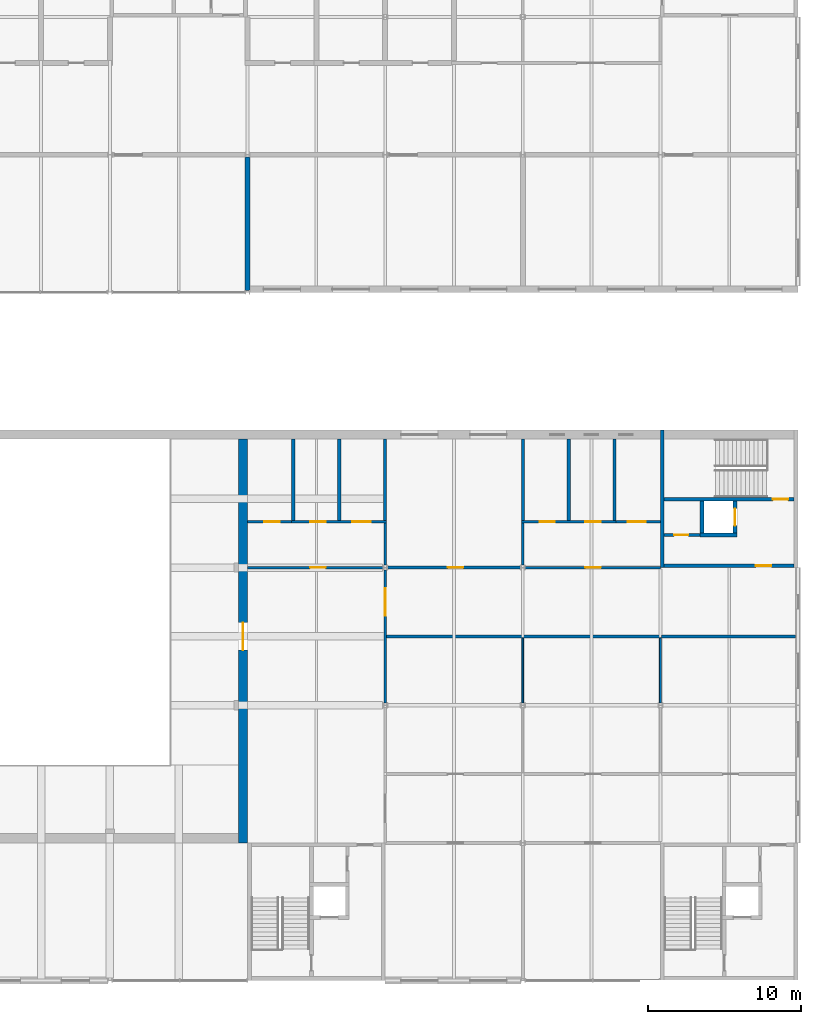
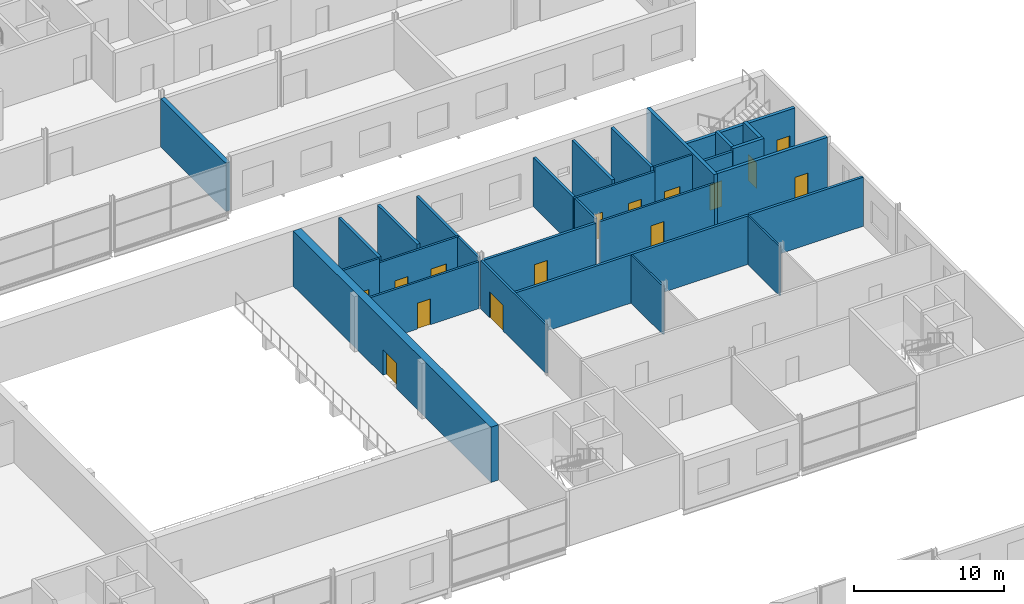
# One storey, part 84 of 97: 29 walls, 15 doors, 15 openings.
"""IFC4 building model written with IfcOpenShell, lengths in metres."""

from ifc_helpers import new_model, si_unit, direction, frame, frame_2d, origin, place, context, subcontext, project, spatial, rectangle, extrude, material, layer, layer_set, type_object, element, fill, save


model = new_model("IFC4")

# Units and contexts
model_context = context("Model", 3, precision=1e-05, world=origin(), true_north=direction((0.0, 1.0)))
body_context = subcontext(model_context, "Body", "Model", "MODEL_VIEW")
ifc_project = project(units=[si_unit("LENGTHUNIT", "METRE"), si_unit("AREAUNIT", "SQUARE_METRE"), si_unit("VOLUMEUNIT", "CUBIC_METRE"), si_unit("PLANEANGLEUNIT", "RADIAN"), si_unit("MASSUNIT", "GRAM", prefix="KILO")], contexts=[model_context])

# Site, building, storey
site_placement = place(None, origin())
site = spatial("IfcSite", under=ifc_project, at=site_placement, CompositionType="ELEMENT")
building_placement = place(site_placement, origin())
building = spatial("IfcBuilding", under=site, at=building_placement, Name="Corbel Yard City Hall", CompositionType="ELEMENT")
storey_placement = place(building_placement, frame((0.0, 0.0, 6.0)))
storey = spatial("IfcBuildingStorey", under=building, at=storey_placement, Name="L01", CompositionType="ELEMENT", Elevation=6.0)

# Wall, opening, door
ifc_material_1 = material(Name="Concrete N50 (50 MPa)", Category="concrete")
ifc_layer_1 = layer(ifc_material_1, 0.60009765625)
ifc_layer_set_1 = layer_set([ifc_layer_1], Name="Concrete N50 (50 MPa)")
wall_type_1 = type_object("IfcWallType", Name="Chamber wall 600", PredefinedType="SHEAR", material=ifc_layer_set_1)
wall_1_placement = place(storey_placement, frame((143.699951171875, 54.0, 0.0), z_axis=(0.0, 0.0, 1.0), x_axis=(0.0, 1.0, 0.0)))
wall_1 = element("IfcWall", 1, at=wall_1_placement, inside=storey, type_object=wall_type_1, Name="Chamber east wall", PredefinedType="SHEAR", context=body_context, shape_type="SweptSolid", body=[
    extrude(rectangle(XDim=26.39990234375, YDim=0.60009765625, at=frame_2d((13.199951171875, 0.0))), origin(), (0.0, 0.0, 1.0), 4.5),
])
opening_1_placement = place(wall_1_placement, frame((12.60009765625, 0.0, 0.0)))
opening_1 = element("IfcOpeningElement", 2, at=opening_1_placement, cuts=wall_1, Name="Opening L01-116", PredefinedType="OPENING", context=body_context, shape_type="SweptSolid", body=[
    extrude(rectangle(XDim=1.800048828125, YDim=2.10009765625, at=frame_2d((0.89990234375, 1.050048828125))), frame((0.0, 0.31005859375, 0.0), z_axis=(0.0, -1.0, 0.0), x_axis=(1.0, 0.0, 0.0)), (0.0, 0.0, 1.0), 0.6201171875),
])
ifc_material_2 = material(Name="Steel Grade G250", Category="steel")
door_type_1 = type_object("IfcDoorType", Name="FS3", OperationType="DOUBLE_DOOR_SINGLE_SWING", PredefinedType="DOOR", material=ifc_material_2)
door_1_placement = place(opening_1_placement, origin())
door_1 = element("IfcDoor", 3, at=door_1_placement, inside=storey, type_object=door_type_1, Name="Door Public Gallery", OperationType="DOUBLE_DOOR_SINGLE_SWING", OverallHeight=2.10009765625, OverallWidth=1.800048828125, PredefinedType="DOOR", context=body_context, shape_type="SweptSolid", body=[
    extrude(rectangle(XDim=1.800048828125, YDim=2.10009765625, at=frame_2d((0.89990234375, 1.050048828125))), frame((0.0, 0.02490234375, 0.0), z_axis=(0.0, -1.0, 0.0), x_axis=(1.0, 0.0, 0.0)), (0.0, 0.0, 1.0), 0.050048828125),
])
fill(opening_1, door_1)

# Wall
ifc_layer_2 = layer(ifc_material_1, 0.25)
ifc_layer_set_2 = layer_set([ifc_layer_2], Name="Concrete N50 (50 MPa)")
wall_type_2 = type_object("IfcWallType", Name="Core cell wall 250", PredefinedType="SHEAR", material=ifc_layer_set_2)
wall_2_placement = place(storey_placement, frame((171.125, 72.0, 0.0), z_axis=(0.0, 0.0, 1.0), x_axis=(0.0, 1.0, 0.0)))
element("IfcWall", 4, at=wall_2_placement, inside=storey, type_object=wall_type_2, Name="Core PC-M8 west wall", PredefinedType="SHEAR", context=body_context, shape_type="SweptSolid", body=[
    extrude(rectangle(XDim=9.0, YDim=0.25, at=frame_2d((4.5, 0.0))), origin(), (0.0, 0.0, 1.0), 4.5),
])

# Wall, opening, door
wall_3_placement = place(storey_placement, frame((171.25, 72.125, 0.0), z_axis=(0.0, 0.0, 1.0), x_axis=(1.0, 0.0, 0.0)))
wall_3 = element("IfcWall", 5, at=wall_3_placement, inside=storey, type_object=wall_type_2, Name="Core PC-M8 south wall", PredefinedType="SHEAR", context=body_context, shape_type="SweptSolid", body=[
    extrude(rectangle(XDim=8.5, YDim=0.25, at=frame_2d((4.25, 0.0))), origin(), (0.0, 0.0, 1.0), 4.5),
])
opening_2_placement = place(wall_3_placement, frame((6.0, 0.0, 0.0)))
opening_2 = element("IfcOpeningElement", 6, at=opening_2_placement, cuts=wall_3, Name="Opening L01-121", PredefinedType="OPENING", context=body_context, shape_type="SweptSolid", body=[
    extrude(rectangle(XDim=1.0, YDim=2.10009765625, at=frame_2d((0.5, 1.050048828125))), frame((0.0, 0.135009765625, 0.0), z_axis=(0.0, -1.0, 0.0), x_axis=(1.0, 0.0, 0.0)), (0.0, 0.0, 1.0), 0.27001953125),
])
door_type_2 = type_object("IfcDoorType", Name="FS1", OperationType="SINGLE_SWING_LEFT", PredefinedType="DOOR", material=ifc_material_2)
door_2_placement = place(opening_2_placement, origin())
door_2 = element("IfcDoor", 7, at=door_2_placement, inside=storey, type_object=door_type_2, Name="Door Lift Lobby", OperationType="SINGLE_SWING_RIGHT", OverallHeight=2.10009765625, OverallWidth=1.0, PredefinedType="DOOR", context=body_context, shape_type="SweptSolid", body=[
    extrude(rectangle(XDim=1.0, YDim=2.10009765625, at=frame_2d((0.5, 1.050048828125))), frame((0.0, 0.02490234375, 0.0), z_axis=(0.0, -1.0, 0.0), x_axis=(1.0, 0.0, 0.0)), (0.0, 0.0, 1.0), 0.050048828125),
])
fill(opening_2, door_2)

ifc_material_3 = material(Name="Concrete N40 (40 MPa)", Category="concrete")
ifc_layer_3 = layer(ifc_material_3, 0.25)
ifc_layer_set_3 = layer_set([ifc_layer_3], Name="Concrete N40 (40 MPa)")
wall_type_3 = type_object("IfcWallType", Name="IW2", PredefinedType="SOLIDWALL", material=ifc_layer_set_3)
wall_4_placement = place(storey_placement, frame((179.75, 76.47509765625, 0.0), z_axis=(0.0, 0.0, 1.0), x_axis=(-1.0, 0.0, 0.0)))
wall_4 = element("IfcWall", 8, at=wall_4_placement, inside=storey, type_object=wall_type_3, Name="Stair enclosure wall", PredefinedType="SOLIDWALL", context=body_context, shape_type="SweptSolid", body=[
    extrude(rectangle(XDim=8.5, YDim=0.25, at=frame_2d((4.25, 0.0))), origin(), (0.0, 0.0, 1.0), 4.25),
])
opening_3_placement = place(wall_4_placement, frame((0.39990234375, 0.0, 0.0)))
opening_3 = element("IfcOpeningElement", 9, at=opening_3_placement, cuts=wall_4, Name="Opening L01-120", PredefinedType="OPENING", context=body_context, shape_type="SweptSolid", body=[
    extrude(rectangle(XDim=1.0, YDim=2.10009765625, at=frame_2d((0.5, 1.050048828125))), frame((0.0, 0.135009765625, 0.0), z_axis=(0.0, -1.0, 0.0), x_axis=(1.0, 0.0, 0.0)), (0.0, 0.0, 1.0), 0.27001953125),
])
door_3_placement = place(opening_3_placement, frame((1.0, 0.0, 0.0), z_axis=(0.0, 0.0, 1.0), x_axis=(-1.0, 0.0, 0.0)))
door_3 = element("IfcDoor", 10, at=door_3_placement, inside=storey, type_object=door_type_2, Name="Door Exit Stair 15", OperationType="SINGLE_SWING_RIGHT", OverallHeight=2.10009765625, OverallWidth=1.0, PredefinedType="DOOR", context=body_context, shape_type="SweptSolid", body=[
    extrude(rectangle(XDim=1.0, YDim=2.10009765625, at=frame_2d((0.5, 1.050048828125))), frame((0.0, 0.02490234375, 0.0), z_axis=(0.0, -1.0, 0.0), x_axis=(1.0, 0.0, 0.0)), (0.0, 0.0, 1.0), 0.050048828125),
])
fill(opening_3, door_3)

# Walls
wall_5_placement = place(storey_placement, frame((173.60009765625, 74.125, 0.0), z_axis=(0.0, 0.0, 1.0), x_axis=(1.0, 0.0, 0.0)))
element("IfcWall", 11, at=wall_5_placement, inside=storey, type_object=wall_type_3, Name="Lift LP15 shaft wall", PredefinedType="SOLIDWALL", context=body_context, shape_type="SweptSolid", body=[
    extrude(rectangle(XDim=2.39990234375, YDim=0.25, at=frame_2d((1.199951171875, 0.0))), origin(), (0.0, 0.0, 1.0), 4.5),
])
wall_6_placement = place(storey_placement, frame((173.72509765625, 74.25, 0.0), z_axis=(0.0, 0.0, 1.0), x_axis=(0.0, 1.0, 0.0)))
element("IfcWall", 12, at=wall_6_placement, inside=storey, type_object=wall_type_3, Name="Lift LP15 shaft wall", PredefinedType="SOLIDWALL", context=body_context, shape_type="SweptSolid", body=[
    extrude(rectangle(XDim=2.10009765625, YDim=0.25, at=frame_2d((1.050048828125, 0.0))), origin(), (0.0, 0.0, 1.0), 4.5),
])

# Wall, opening, door
wall_7_placement = place(storey_placement, frame((175.875, 74.25, 0.0), z_axis=(0.0, 0.0, 1.0), x_axis=(0.0, 1.0, 0.0)))
wall_7 = element("IfcWall", 13, at=wall_7_placement, inside=storey, type_object=wall_type_3, Name="Lift LP15 shaft wall", PredefinedType="SOLIDWALL", context=body_context, shape_type="SweptSolid", body=[
    extrude(rectangle(XDim=2.10009765625, YDim=0.25, at=frame_2d((1.050048828125, 0.0))), origin(), (0.0, 0.0, 1.0), 4.5),
])
opening_4_placement = place(wall_7_placement, frame((0.5, 0.0, 0.0)))
opening_4 = element("IfcOpeningElement", 14, at=opening_4_placement, cuts=wall_7, Name="Opening L01-057", PredefinedType="OPENING", context=body_context, shape_type="SweptSolid", body=[
    extrude(rectangle(XDim=1.10009765625, YDim=2.10009765625, at=frame_2d((0.550048828125, 1.050048828125))), frame((0.0, 0.135009765625, 0.0), z_axis=(0.0, -1.0, 0.0), x_axis=(1.0, 0.0, 0.0)), (0.0, 0.0, 1.0), 0.27001953125),
])
ifc_material_4 = material(Name="Stainless steel Grade 316", Category="steel")
door_type_3 = type_object("IfcDoorType", Name="LD1", OperationType="DOUBLE_DOOR_SLIDING", PredefinedType="DOOR", material=ifc_material_4)
door_4_placement = place(opening_4_placement, origin())
door_4 = element("IfcDoor", 15, at=door_4_placement, inside=storey, type_object=door_type_3, Name="Lift LP15 landing door", OperationType="DOUBLE_DOOR_SLIDING", OverallHeight=2.10009765625, OverallWidth=1.10009765625, PredefinedType="DOOR", context=body_context, shape_type="SweptSolid", body=[
    extrude(rectangle(XDim=1.10009765625, YDim=2.10009765625, at=frame_2d((0.550048828125, 1.050048828125))), frame((0.0, 0.02490234375, 0.0), z_axis=(0.0, -1.0, 0.0), x_axis=(1.0, 0.0, 0.0)), (0.0, 0.0, 1.0), 0.050048828125),
])
fill(opening_4, door_4)

# Walls
ifc_material_5 = material(Name="Gypsum plasterboard", Category="gypsum")
ifc_layer_4 = layer(ifc_material_5, 0.028076171875)
ifc_material_6 = material(Name="Steel Grade G550 (550 MPa yield)", Category="steel")
ifc_layer_5 = layer(ifc_material_6, 0.06396484375)
ifc_layer_6 = layer(ifc_material_5, 0.028076171875)
ifc_layer_set_4 = layer_set([ifc_layer_4, ifc_layer_5, ifc_layer_6], Name="Steel Grade G550 (550 MPa yield)")
wall_type_4 = type_object("IfcWallType", Name="PT1", PredefinedType="PARTITIONING", material=ifc_layer_set_4)
wall_8_placement = place(storey_placement, frame((162.0, 63.157470703125, 0.0), z_axis=(0.0, 0.0, 1.0), x_axis=(0.0, 1.0, 0.0)))
element("IfcWall", 16, at=wall_8_placement, inside=storey, type_object=wall_type_4, Name="Partition", PredefinedType="PARTITIONING", context=body_context, shape_type="SweptSolid", body=[
    extrude(rectangle(XDim=4.242431640625, YDim=0.1201171875, at=frame_2d((2.12109375, 0.0))), origin(), (0.0, 0.0, 1.0), 3.947021484375),
])
wall_9_placement = place(storey_placement, frame((171.0, 63.157470703125, 0.0), z_axis=(0.0, 0.0, 1.0), x_axis=(0.0, 1.0, 0.0)))
element("IfcWall", 17, at=wall_9_placement, inside=storey, type_object=wall_type_4, Name="Partition", PredefinedType="PARTITIONING", context=body_context, shape_type="SweptSolid", body=[
    extrude(rectangle(XDim=4.242431640625, YDim=0.1201171875, at=frame_2d((2.12109375, 0.0))), origin(), (0.0, 0.0, 1.0), 3.993896484375),
])
ifc_layer_7 = layer(ifc_material_5, 0.031982421875)
ifc_layer_8 = layer(ifc_material_6, 0.135986328125)
ifc_layer_9 = layer(ifc_material_5, 0.031982421875)
ifc_layer_set_5 = layer_set([ifc_layer_7, ifc_layer_8, ifc_layer_9], Name="Steel Grade G550 (550 MPa yield)")
wall_type_5 = type_object("IfcWallType", Name="PT2", PredefinedType="PARTITIONING", material=ifc_layer_set_5)
wall_10_placement = place(storey_placement, frame((153.080078125, 67.5, 0.0), z_axis=(0.0, 0.0, 1.0), x_axis=(1.0, 0.0, 0.0)))
element("IfcWall", 18, at=wall_10_placement, inside=storey, type_object=wall_type_5, Name="Acoustic wall", PredefinedType="PARTITIONING", context=body_context, shape_type="SweptSolid", body=[
    extrude(rectangle(XDim=17.97998046875, YDim=0.199951171875, at=frame_2d((8.989990234375, 0.0))), origin(), (0.0, 0.0, 1.0), 3.947021484375),
])
wall_11_placement = place(storey_placement, frame((171.06005859375, 67.5, 0.0), z_axis=(0.0, 0.0, 1.0), x_axis=(1.0, 0.0, 0.0)))
element("IfcWall", 19, at=wall_11_placement, inside=storey, type_object=wall_type_5, Name="Acoustic wall", PredefinedType="PARTITIONING", context=body_context, shape_type="SweptSolid", body=[
    extrude(rectangle(XDim=8.7900390625, YDim=0.199951171875, at=frame_2d((4.39501953125, 0.0))), origin(), (0.0, 0.0, 1.0), 3.993896484375),
])

# Wall, opening, door
wall_12_placement = place(storey_placement, frame((153.157470703125, 72.0, 0.0), z_axis=(0.0, 0.0, 1.0), x_axis=(1.0, 0.0, 0.0)))
wall_12 = element("IfcWall", 20, at=wall_12_placement, inside=storey, type_object=wall_type_5, Name="Acoustic wall", PredefinedType="PARTITIONING", context=body_context, shape_type="SweptSolid", body=[
    extrude(rectangle(XDim=8.68505859375, YDim=0.199951171875, at=frame_2d((4.342529296875, 0.0))), origin(), (0.0, 0.0, 1.0), 3.822021484375),
])
opening_5_placement = place(wall_12_placement, frame((3.9423828125, 0.0, 0.0)))
opening_5 = element("IfcOpeningElement", 21, at=opening_5_placement, cuts=wall_12, Name="Opening L01-130", PredefinedType="OPENING", context=body_context, shape_type="SweptSolid", body=[
    extrude(rectangle(XDim=1.0, YDim=2.10009765625, at=frame_2d((0.5, 1.050048828125))), frame((0.0, 0.10986328125, 0.0), z_axis=(0.0, -1.0, 0.0), x_axis=(1.0, 0.0, 0.0)), (0.0, 0.0, 1.0), 0.219970703125),
])
ifc_material_7 = material(Name="Timber", Category="wood")
door_type_4 = type_object("IfcDoorType", Name="D1", OperationType="SINGLE_SWING_LEFT", PredefinedType="DOOR", material=ifc_material_7)
door_5_placement = place(opening_5_placement, origin())
door_5 = element("IfcDoor", 22, at=door_5_placement, inside=storey, type_object=door_type_4, Name="Door Briefing Room 10", OperationType="SINGLE_SWING_RIGHT", OverallHeight=2.10009765625, OverallWidth=1.0, PredefinedType="DOOR", context=body_context, shape_type="SweptSolid", body=[
    extrude(rectangle(XDim=1.0, YDim=2.10009765625, at=frame_2d((0.5, 1.050048828125))), frame((0.0, 0.02490234375, 0.0), z_axis=(0.0, -1.0, 0.0), x_axis=(1.0, 0.0, 0.0)), (0.0, 0.0, 1.0), 0.050048828125),
])
fill(opening_5, door_5)

# Walls
for number, where, z_axis, x_axis, name in (
    (23, (153.0, 75.080078125, 0.0), (0.0, 0.0, 1.0), (0.0, 1.0, 0.0), "Acoustic wall"),
    (24, (162.0, 75.080078125, 0.0), (0.0, 0.0, 1.0), (0.0, 1.0, 0.0), "Acoustic wall"),
):
    element("IfcWall", number, at=place(storey_placement, frame(where, z_axis=z_axis, x_axis=x_axis)), inside=storey, type_object=wall_type_5, Name=name, PredefinedType="PARTITIONING", context=body_context, shape_type="SweptSolid", body=[
        extrude(rectangle(XDim=5.31982421875, YDim=0.199951171875, at=frame_2d((2.659912109375, 0.0))), origin(), (0.0, 0.0, 1.0), 3.998046875),
    ])
ifc_layer_10 = layer(ifc_material_5, 0.031982421875)
ifc_layer_11 = layer(ifc_material_6, 0.260986328125)
ifc_layer_12 = layer(ifc_material_5, 0.031982421875)
ifc_layer_set_6 = layer_set([ifc_layer_10, ifc_layer_11, ifc_layer_12], Name="Steel Grade G550 (550 MPa yield)")
wall_type_6 = type_object("IfcWallType", Name="PT20", PredefinedType="PARTITIONING", material=ifc_layer_set_6)
wall_13_placement = place(storey_placement, frame((144.0, 90.1298828125, 0.0), z_axis=(0.0, 0.0, 1.0), x_axis=(0.0, 1.0, 0.0)))
element("IfcWall", 25, at=wall_13_placement, inside=storey, type_object=wall_type_6, Name="Acoustic partition", PredefinedType="PARTITIONING", context=body_context, shape_type="SweptSolid", body=[
    extrude(rectangle(XDim=8.712646484375, YDim=0.324951171875, at=frame_2d((4.3564453125, 0.0))), origin(), (0.0, 0.0, 1.0), 3.947021484375),
])

# Wall, opening, door
ifc_layer_13 = layer(ifc_material_5, 0.031982421875)
ifc_layer_14 = layer(ifc_material_6, 0.095947265625)
ifc_layer_15 = layer(ifc_material_5, 0.031982421875)
ifc_layer_set_7 = layer_set([ifc_layer_13, ifc_layer_14, ifc_layer_15], Name="Steel Grade G550 (550 MPa yield)")
wall_type_7 = type_object("IfcWallType", Name="PT3", PredefinedType="PARTITIONING", material=ifc_layer_set_7)
wall_14_placement = place(storey_placement, frame((144.0, 72.0, 0.0), z_axis=(0.0, 0.0, 1.0), x_axis=(1.0, 0.0, 0.0)))
wall_14 = element("IfcWall", 26, at=wall_14_placement, inside=storey, type_object=wall_type_7, Name="Fire-resisting wall", PredefinedType="PARTITIONING", context=body_context, shape_type="SweptSolid", body=[
    extrude(rectangle(XDim=8.842529296875, YDim=0.159912109375, at=frame_2d((4.42138671875, 0.0))), origin(), (0.0, 0.0, 1.0), 3.822021484375),
])
opening_6_placement = place(wall_14_placement, frame((4.10009765625, 0.0, 0.0)))
opening_6 = element("IfcOpeningElement", 27, at=opening_6_placement, cuts=wall_14, Name="Opening L01-111", PredefinedType="OPENING", context=body_context, shape_type="SweptSolid", body=[
    extrude(rectangle(XDim=1.0, YDim=2.10009765625, at=frame_2d((0.5, 1.050048828125))), frame((0.0, 0.08984375, 0.0), z_axis=(0.0, -1.0, 0.0), x_axis=(1.0, 0.0, 0.0)), (0.0, 0.0, 1.0), 0.179931640625),
])
door_type_5 = type_object("IfcDoorType", Name="FD1", OperationType="SINGLE_SWING_LEFT", PredefinedType="DOOR", material=ifc_material_2)
door_6_placement = place(opening_6_placement, origin())
door_6 = element("IfcDoor", 28, at=door_6_placement, inside=storey, type_object=door_type_5, Name="Door WC Lobby", OperationType="SINGLE_SWING_RIGHT", OverallHeight=2.10009765625, OverallWidth=1.0, PredefinedType="DOOR", context=body_context, shape_type="SweptSolid", body=[
    extrude(rectangle(XDim=1.0, YDim=2.10009765625, at=frame_2d((0.5, 1.050048828125))), frame((0.0, 0.02490234375, 0.0), z_axis=(0.0, -1.0, 0.0), x_axis=(1.0, 0.0, 0.0)), (0.0, 0.0, 1.0), 0.050048828125),
])
fill(opening_6, door_6)

wall_15_placement = place(storey_placement, frame((162.157470703125, 72.0, 0.0), z_axis=(0.0, 0.0, 1.0), x_axis=(1.0, 0.0, 0.0)))
wall_15 = element("IfcWall", 29, at=wall_15_placement, inside=storey, type_object=wall_type_7, Name="Fire-resisting wall", PredefinedType="PARTITIONING", context=body_context, shape_type="SweptSolid", body=[
    extrude(rectangle(XDim=8.842529296875, YDim=0.159912109375, at=frame_2d((4.42138671875, 0.0))), origin(), (0.0, 0.0, 1.0), 3.822021484375),
])
opening_7_placement = place(wall_15_placement, frame((3.9423828125, 0.0, 0.0)))
opening_7 = element("IfcOpeningElement", 30, at=opening_7_placement, cuts=wall_15, Name="Opening L01-131", PredefinedType="OPENING", context=body_context, shape_type="SweptSolid", body=[
    extrude(rectangle(XDim=1.0, YDim=2.10009765625, at=frame_2d((0.5, 1.050048828125))), frame((0.0, 0.08984375, 0.0), z_axis=(0.0, -1.0, 0.0), x_axis=(1.0, 0.0, 0.0)), (0.0, 0.0, 1.0), 0.179931640625),
])
door_7_placement = place(opening_7_placement, origin())
door_7 = element("IfcDoor", 31, at=door_7_placement, inside=storey, type_object=door_type_5, Name="Door WC Lobby", OperationType="SINGLE_SWING_RIGHT", OverallHeight=2.10009765625, OverallWidth=1.0, PredefinedType="DOOR", context=body_context, shape_type="SweptSolid", body=[
    extrude(rectangle(XDim=1.0, YDim=2.10009765625, at=frame_2d((0.5, 1.050048828125))), frame((0.0, 0.02490234375, 0.0), z_axis=(0.0, -1.0, 0.0), x_axis=(1.0, 0.0, 0.0)), (0.0, 0.0, 1.0), 0.050048828125),
])
fill(opening_7, door_7)

wall_16_placement = place(storey_placement, frame((144.0, 75.0, 0.0), z_axis=(0.0, 0.0, 1.0), x_axis=(1.0, 0.0, 0.0)))
wall_16 = element("IfcWall", 32, at=wall_16_placement, inside=storey, type_object=wall_type_7, Name="Fire-resisting wall", PredefinedType="PARTITIONING", context=body_context, shape_type="SweptSolid", body=[
    extrude(rectangle(XDim=2.889892578125, YDim=0.159912109375, at=frame_2d((1.44482421875, 0.0))), origin(), (0.0, 0.0, 1.0), 4.35009765625),
])
opening_8_placement = place(wall_16_placement, frame((1.10009765625, 0.0, 0.0)))
opening_8 = element("IfcOpeningElement", 33, at=opening_8_placement, cuts=wall_16, Name="Opening L01-112", PredefinedType="OPENING", context=body_context, shape_type="SweptSolid", body=[
    extrude(rectangle(XDim=1.0, YDim=2.10009765625, at=frame_2d((0.5, 1.050048828125))), frame((0.0, 0.08984375, 0.0), z_axis=(0.0, -1.0, 0.0), x_axis=(1.0, 0.0, 0.0)), (0.0, 0.0, 1.0), 0.179931640625),
])
door_8_placement = place(opening_8_placement, origin())
door_8 = element("IfcDoor", 34, at=door_8_placement, inside=storey, type_object=door_type_5, Name="Door Women's WC", OperationType="SINGLE_SWING_RIGHT", OverallHeight=2.10009765625, OverallWidth=1.0, PredefinedType="DOOR", context=body_context, shape_type="SweptSolid", body=[
    extrude(rectangle(XDim=1.0, YDim=2.10009765625, at=frame_2d((0.5, 1.050048828125))), frame((0.0, 0.02490234375, 0.0), z_axis=(0.0, -1.0, 0.0), x_axis=(1.0, 0.0, 0.0)), (0.0, 0.0, 1.0), 0.050048828125),
])
fill(opening_8, door_8)

# Wall, openings, doors
wall_17_placement = place(storey_placement, frame((146.889892578125, 75.0, 0.0), z_axis=(0.0, 0.0, 1.0), x_axis=(1.0, 0.0, 0.0)))
wall_17 = element("IfcWall", 35, at=wall_17_placement, inside=storey, type_object=wall_type_7, Name="Fire-resisting wall", PredefinedType="PARTITIONING", context=body_context, shape_type="SweptSolid", body=[
    extrude(rectangle(XDim=6.210205078125, YDim=0.159912109375, at=frame_2d((3.10498046875, 0.0))), origin(), (0.0, 0.0, 1.0), 3.998046875),
])
opening_9_placement = place(wall_17_placement, frame((1.2099609375, 0.0, 0.0)))
opening_9 = element("IfcOpeningElement", 36, at=opening_9_placement, cuts=wall_17, Name="Opening L01-113", PredefinedType="OPENING", context=body_context, shape_type="SweptSolid", body=[
    extrude(rectangle(XDim=1.0, YDim=2.10009765625, at=frame_2d((0.5, 1.050048828125))), frame((0.0, 0.08984375, 0.0), z_axis=(0.0, -1.0, 0.0), x_axis=(1.0, 0.0, 0.0)), (0.0, 0.0, 1.0), 0.179931640625),
])
opening_10_placement = place(wall_17_placement, frame((3.9599609375, 0.0, 0.0)))
opening_10 = element("IfcOpeningElement", 37, at=opening_10_placement, cuts=wall_17, Name="Opening L01-114", PredefinedType="OPENING", context=body_context, shape_type="SweptSolid", body=[
    extrude(rectangle(XDim=1.199951171875, YDim=2.10009765625, at=frame_2d((0.60009765625, 1.050048828125))), frame((0.0, 0.08984375, 0.0), z_axis=(0.0, -1.0, 0.0), x_axis=(1.0, 0.0, 0.0)), (0.0, 0.0, 1.0), 0.179931640625),
])
door_9_placement = place(opening_9_placement, origin())
door_9 = element("IfcDoor", 38, at=door_9_placement, inside=storey, type_object=door_type_5, Name="Door Men's WC", OperationType="SINGLE_SWING_RIGHT", OverallHeight=2.10009765625, OverallWidth=1.0, PredefinedType="DOOR", context=body_context, shape_type="SweptSolid", body=[
    extrude(rectangle(XDim=1.0, YDim=2.10009765625, at=frame_2d((0.5, 1.050048828125))), frame((0.0, 0.02490234375, 0.0), z_axis=(0.0, -1.0, 0.0), x_axis=(1.0, 0.0, 0.0)), (0.0, 0.0, 1.0), 0.050048828125),
])
fill(opening_9, door_9)
door_type_6 = type_object("IfcDoorType", Name="FD7", OperationType="SINGLE_SWING_LEFT", PredefinedType="DOOR", material=ifc_material_2)
door_10_placement = place(opening_10_placement, origin())
door_10 = element("IfcDoor", 39, at=door_10_placement, inside=storey, type_object=door_type_6, Name="Door Accessible WC", OperationType="SINGLE_SWING_LEFT", OverallHeight=2.10009765625, OverallWidth=1.199951171875, PredefinedType="DOOR", context=body_context, shape_type="SweptSolid", body=[
    extrude(rectangle(XDim=1.199951171875, YDim=2.10009765625, at=frame_2d((0.60009765625, 1.050048828125))), frame((0.0, 0.02490234375, 0.0), z_axis=(0.0, -1.0, 0.0), x_axis=(1.0, 0.0, 0.0)), (0.0, 0.0, 1.0), 0.050048828125),
])
fill(opening_10, door_10)

wall_18_placement = place(storey_placement, frame((161.89990234375, 75.0, 0.0), z_axis=(0.0, 0.0, 1.0), x_axis=(1.0, 0.0, 0.0)))
wall_18 = element("IfcWall", 40, at=wall_18_placement, inside=storey, type_object=wall_type_7, Name="Fire-resisting wall", PredefinedType="PARTITIONING", context=body_context, shape_type="SweptSolid", body=[
    extrude(rectangle(XDim=6.210205078125, YDim=0.159912109375, at=frame_2d((3.10498046875, 0.0))), origin(), (0.0, 0.0, 1.0), 3.998046875),
])
opening_11_placement = place(wall_18_placement, frame((1.199951171875, 0.0, 0.0)))
opening_11 = element("IfcOpeningElement", 41, at=opening_11_placement, cuts=wall_18, Name="Opening L01-132", PredefinedType="OPENING", context=body_context, shape_type="SweptSolid", body=[
    extrude(rectangle(XDim=1.0, YDim=2.10009765625, at=frame_2d((0.5, 1.050048828125))), frame((0.0, 0.08984375, 0.0), z_axis=(0.0, -1.0, 0.0), x_axis=(1.0, 0.0, 0.0)), (0.0, 0.0, 1.0), 0.179931640625),
])
opening_12_placement = place(wall_18_placement, frame((4.199951171875, 0.0, 0.0)))
opening_12 = element("IfcOpeningElement", 42, at=opening_12_placement, cuts=wall_18, Name="Opening L01-133", PredefinedType="OPENING", context=body_context, shape_type="SweptSolid", body=[
    extrude(rectangle(XDim=1.0, YDim=2.10009765625, at=frame_2d((0.5, 1.050048828125))), frame((0.0, 0.08984375, 0.0), z_axis=(0.0, -1.0, 0.0), x_axis=(1.0, 0.0, 0.0)), (0.0, 0.0, 1.0), 0.179931640625),
])
door_11_placement = place(opening_11_placement, origin())
door_11 = element("IfcDoor", 43, at=door_11_placement, inside=storey, type_object=door_type_5, Name="Door Women's WC", OperationType="SINGLE_SWING_RIGHT", OverallHeight=2.10009765625, OverallWidth=1.0, PredefinedType="DOOR", context=body_context, shape_type="SweptSolid", body=[
    extrude(rectangle(XDim=1.0, YDim=2.10009765625, at=frame_2d((0.5, 1.050048828125))), frame((0.0, 0.02490234375, 0.0), z_axis=(0.0, -1.0, 0.0), x_axis=(1.0, 0.0, 0.0)), (0.0, 0.0, 1.0), 0.050048828125),
])
fill(opening_11, door_11)
door_12_placement = place(opening_12_placement, origin())
door_12 = element("IfcDoor", 44, at=door_12_placement, inside=storey, type_object=door_type_5, Name="Door Men's WC", OperationType="SINGLE_SWING_RIGHT", OverallHeight=2.10009765625, OverallWidth=1.0, PredefinedType="DOOR", context=body_context, shape_type="SweptSolid", body=[
    extrude(rectangle(XDim=1.0, YDim=2.10009765625, at=frame_2d((0.5, 1.050048828125))), frame((0.0, 0.02490234375, 0.0), z_axis=(0.0, -1.0, 0.0), x_axis=(1.0, 0.0, 0.0)), (0.0, 0.0, 1.0), 0.050048828125),
])
fill(opening_12, door_12)

# Wall, opening, door
wall_19_placement = place(storey_placement, frame((168.110107421875, 75.0, 0.0), z_axis=(0.0, 0.0, 1.0), x_axis=(1.0, 0.0, 0.0)))
wall_19 = element("IfcWall", 45, at=wall_19_placement, inside=storey, type_object=wall_type_7, Name="Fire-resisting wall", PredefinedType="PARTITIONING", context=body_context, shape_type="SweptSolid", body=[
    extrude(rectangle(XDim=2.889892578125, YDim=0.159912109375, at=frame_2d((1.44482421875, 0.0))), origin(), (0.0, 0.0, 1.0), 4.35009765625),
])
opening_13_placement = place(wall_19_placement, frame((0.739990234375, 0.0, 0.0)))
opening_13 = element("IfcOpeningElement", 46, at=opening_13_placement, cuts=wall_19, Name="Opening L01-134", PredefinedType="OPENING", context=body_context, shape_type="SweptSolid", body=[
    extrude(rectangle(XDim=1.199951171875, YDim=2.10009765625, at=frame_2d((0.60009765625, 1.050048828125))), frame((0.0, 0.08984375, 0.0), z_axis=(0.0, -1.0, 0.0), x_axis=(1.0, 0.0, 0.0)), (0.0, 0.0, 1.0), 0.179931640625),
])
door_13_placement = place(opening_13_placement, origin())
door_13 = element("IfcDoor", 47, at=door_13_placement, inside=storey, type_object=door_type_6, Name="Door Accessible WC", OperationType="SINGLE_SWING_LEFT", OverallHeight=2.10009765625, OverallWidth=1.199951171875, PredefinedType="DOOR", context=body_context, shape_type="SweptSolid", body=[
    extrude(rectangle(XDim=1.199951171875, YDim=2.10009765625, at=frame_2d((0.60009765625, 1.050048828125))), frame((0.0, 0.02490234375, 0.0), z_axis=(0.0, -1.0, 0.0), x_axis=(1.0, 0.0, 0.0)), (0.0, 0.0, 1.0), 0.050048828125),
])
fill(opening_13, door_13)

wall_20_placement = place(storey_placement, frame((153.0, 63.157470703125, 0.0), z_axis=(0.0, 0.0, 1.0), x_axis=(0.0, 1.0, 0.0)))
wall_20 = element("IfcWall", 48, at=wall_20_placement, inside=storey, type_object=wall_type_7, Name="Fire-resisting wall", PredefinedType="PARTITIONING", context=body_context, shape_type="SweptSolid", body=[
    extrude(rectangle(XDim=8.68505859375, YDim=0.159912109375, at=frame_2d((4.342529296875, 0.0))), origin(), (0.0, 0.0, 1.0), 3.947021484375),
])
opening_14_placement = place(wall_20_placement, frame((5.6923828125, 0.0, 0.0)))
opening_14 = element("IfcOpeningElement", 49, at=opening_14_placement, cuts=wall_20, Name="Opening L01-124", PredefinedType="OPENING", context=body_context, shape_type="SweptSolid", body=[
    extrude(rectangle(XDim=1.800048828125, YDim=2.10009765625, at=frame_2d((0.89990234375, 1.050048828125))), frame((0.0, 0.08984375, 0.0), z_axis=(0.0, -1.0, 0.0), x_axis=(1.0, 0.0, 0.0)), (0.0, 0.0, 1.0), 0.179931640625),
])
door_type_7 = type_object("IfcDoorType", Name="FD3", OperationType="DOUBLE_DOOR_SINGLE_SWING", PredefinedType="DOOR", material=ifc_material_2)
door_14_placement = place(opening_14_placement, origin())
door_14 = element("IfcDoor", 50, at=door_14_placement, inside=storey, type_object=door_type_7, Name="Door Members' Service Corridor", OperationType="DOUBLE_DOOR_SINGLE_SWING", OverallHeight=2.10009765625, OverallWidth=1.800048828125, PredefinedType="DOOR", context=body_context, shape_type="SweptSolid", body=[
    extrude(rectangle(XDim=1.800048828125, YDim=2.10009765625, at=frame_2d((0.89990234375, 1.050048828125))), frame((0.0, 0.02490234375, 0.0), z_axis=(0.0, -1.0, 0.0), x_axis=(1.0, 0.0, 0.0)), (0.0, 0.0, 1.0), 0.050048828125),
])
fill(opening_14, door_14)

# Walls
for number, where, z_axis, x_axis, name in (
    (51, (153.0, 72.157470703125, 0.0), (0.0, 0.0, 1.0), (0.0, 1.0, 0.0), "Fire-resisting wall"),
    (52, (162.0, 72.157470703125, 0.0), (0.0, 0.0, 1.0), (0.0, 1.0, 0.0), "Fire-resisting wall"),
):
    element("IfcWall", number, at=place(storey_placement, frame(where, z_axis=z_axis, x_axis=x_axis)), inside=storey, type_object=wall_type_7, Name=name, PredefinedType="PARTITIONING", context=body_context, shape_type="SweptSolid", body=[
        extrude(rectangle(XDim=2.762451171875, YDim=0.159912109375, at=frame_2d((1.38134765625, 0.0))), origin(), (0.0, 0.0, 1.0), 3.998046875),
    ])

# Wall, opening, door
ifc_material_8 = material(Name="Concrete block", Category="concrete")
ifc_layer_16 = layer(ifc_material_8, 0.18994140625)
ifc_layer_set_8 = layer_set([ifc_layer_16], Name="Concrete block")
wall_type_8 = type_object("IfcWallType", Name="PT4", PredefinedType="PARTITIONING", material=ifc_layer_set_8)
wall_21_placement = place(storey_placement, frame((171.25, 74.125, 0.0), z_axis=(0.0, 0.0, 1.0), x_axis=(1.0, 0.0, 0.0)))
wall_21 = element("IfcWall", 53, at=wall_21_placement, inside=storey, type_object=wall_type_8, Name="Fire-resisting block wall", PredefinedType="PARTITIONING", context=body_context, shape_type="SweptSolid", body=[
    extrude(rectangle(XDim=2.35009765625, YDim=0.18994140625, at=frame_2d((1.175048828125, 0.0))), origin(), (0.0, 0.0, 1.0), 4.25),
])
opening_15_placement = place(wall_21_placement, frame((0.652587890625, 0.0, 0.0)))
opening_15 = element("IfcOpeningElement", 54, at=opening_15_placement, cuts=wall_21, Name="Opening L01-122", PredefinedType="OPENING", context=body_context, shape_type="SweptSolid", body=[
    extrude(rectangle(XDim=0.919921875, YDim=2.10009765625, at=frame_2d((0.4599609375, 1.050048828125))), frame((0.0, 0.10498046875, 0.0), z_axis=(0.0, -1.0, 0.0), x_axis=(1.0, 0.0, 0.0)), (0.0, 0.0, 1.0), 0.2099609375),
])
door_type_8 = type_object("IfcDoorType", Name="FS5", OperationType="SINGLE_SWING_RIGHT", PredefinedType="DOOR", material=ifc_material_2)
door_15_placement = place(opening_15_placement, origin())
door_15 = element("IfcDoor", 55, at=door_15_placement, inside=storey, type_object=door_type_8, Name="Door Service Riser", OperationType="SINGLE_SWING_LEFT", OverallHeight=2.10009765625, OverallWidth=0.919921875, PredefinedType="DOOR", context=body_context, shape_type="SweptSolid", body=[
    extrude(rectangle(XDim=0.919921875, YDim=2.10009765625, at=frame_2d((0.4599609375, 1.050048828125))), frame((0.0, 0.02490234375, 0.0), z_axis=(0.0, -1.0, 0.0), x_axis=(1.0, 0.0, 0.0)), (0.0, 0.0, 1.0), 0.050048828125),
])
fill(opening_15, door_15)

# Walls
ifc_layer_17 = layer(ifc_material_5, 0.031982421875)
ifc_layer_18 = layer(ifc_material_6, 0.156005859375)
ifc_layer_19 = layer(ifc_material_5, 0.031982421875)
ifc_layer_set_9 = layer_set([ifc_layer_17, ifc_layer_18, ifc_layer_19], Name="Steel Grade G550 (550 MPa yield)")
wall_type_9 = type_object("IfcWallType", Name="PT5", PredefinedType="PLUMBINGWALL", material=ifc_layer_set_9)
for number, where, z_axis, x_axis, name in (
    (56, (147.0, 75.080078125, 0.0), (0.0, 0.0, 1.0), (0.0, 1.0, 0.0), "Wet wall"),
    (57, (150.0, 75.080078125, 0.0), (0.0, 0.0, 1.0), (0.0, 1.0, 0.0), "Wet wall"),
    (58, (165.0, 75.080078125, 0.0), (0.0, 0.0, 1.0), (0.0, 1.0, 0.0), "Wet wall"),
    (59, (168.0, 75.080078125, 0.0), (0.0, 0.0, 1.0), (0.0, 1.0, 0.0), "Wet wall"),
):
    element("IfcWall", number, at=place(storey_placement, frame(where, z_axis=z_axis, x_axis=x_axis)), inside=storey, type_object=wall_type_9, Name=name, PredefinedType="PLUMBINGWALL", context=body_context, shape_type="SweptSolid", body=[
        extrude(rectangle(XDim=5.31982421875, YDim=0.219970703125, at=frame_2d((2.659912109375, 0.0))), origin(), (0.0, 0.0, 1.0), 4.35009765625),
    ])

save(model, "model.ifc")
